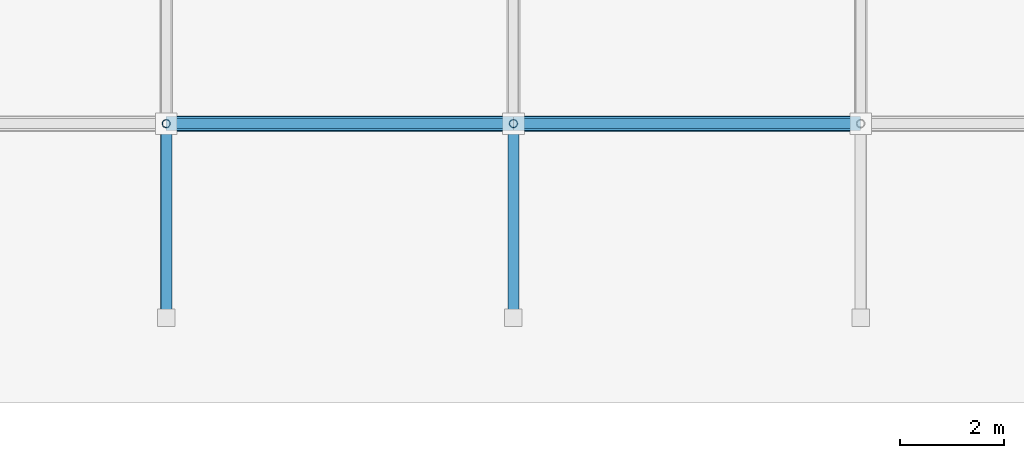
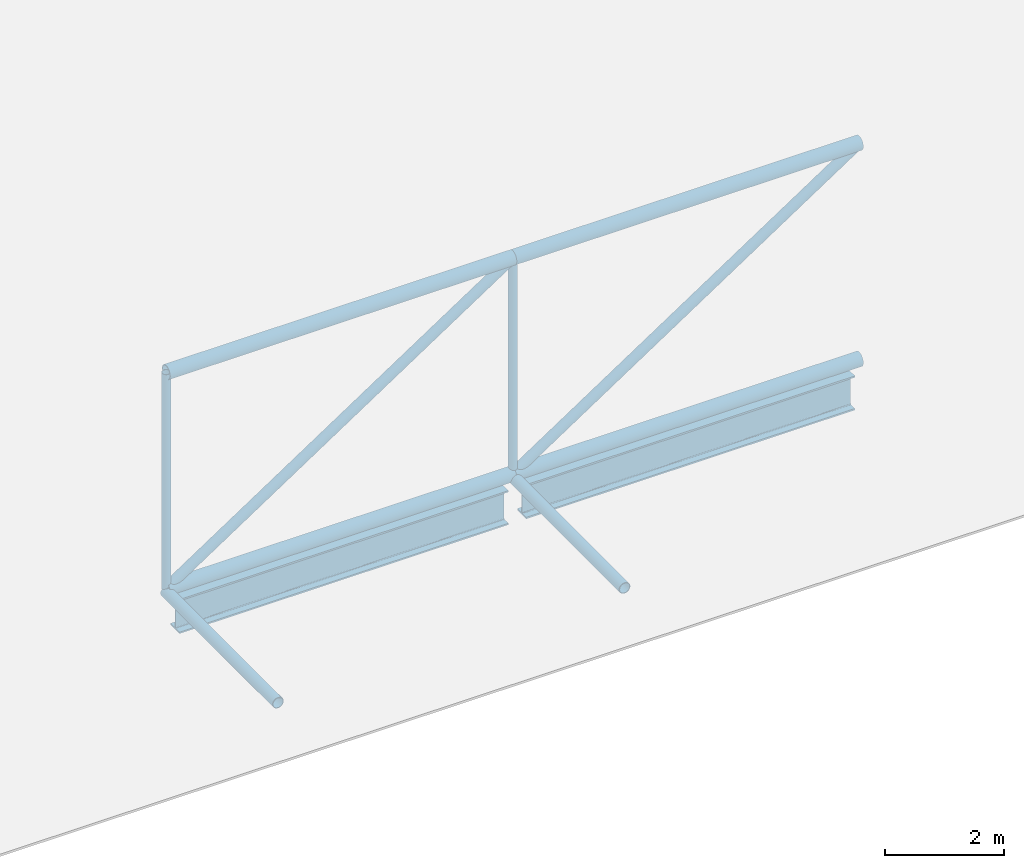
# One storey, part 30 of 77: 10 members, 2 beams.
"""IFC4 building model written with IfcOpenShell, lengths in metres."""

from ifc_helpers import new_model, si_unit, direction, frame, origin, origin_2d, place, context, subcontext, project, spatial, hollow_circle, i_section, extrude, material, material_profile, profile_set, type_object, element, save


model = new_model("IFC4")

# Units and contexts
model_context = context("Model", 3, precision=1e-05, world=origin(), true_north=direction((0.0, 1.0)))
body_context = subcontext(model_context, "Body", "Model", "MODEL_VIEW")
ifc_project = project(units=[si_unit("LENGTHUNIT", "METRE"), si_unit("AREAUNIT", "SQUARE_METRE"), si_unit("VOLUMEUNIT", "CUBIC_METRE"), si_unit("PLANEANGLEUNIT", "RADIAN"), si_unit("MASSUNIT", "GRAM", prefix="KILO")], contexts=[model_context])

# Site, building, storey
site_placement = place(None, origin())
site = spatial("IfcSite", under=ifc_project, at=site_placement, CompositionType="ELEMENT")
building_placement = place(site_placement, origin())
building = spatial("IfcBuilding", under=site, at=building_placement, Name="Nabrawat Pavilion Hospital", CompositionType="ELEMENT")
storey_placement = place(building_placement, frame((0.0, 0.0, 14.85009765625)))
storey = spatial("IfcBuildingStorey", under=building, at=storey_placement, Name="L03", CompositionType="ELEMENT", Elevation=14.85009765625)

# Beams
ifc_material = material(Name="Steel S355", Category="steel")
ifc_material_profile_1 = material_profile(ifc_material, i_section(OverallWidth=0.300048828125, OverallDepth=0.699951171875, WebThickness=0.01708984375, FlangeThickness=0.031982421875, FilletRadius=0.027099609375, at=origin_2d()), Name="HEB 700")
ifc_profile_set_1 = profile_set([ifc_material_profile_1], Name="Steel S355")
beam_type = type_object("IfcBeamType", Name="Main Hall Space-Frame Perimeter Ring Girder HEB 700", PredefinedType="USERDEFINED", material=ifc_profile_set_1)
for number, where, z_axis, x_axis, name in (
    (1, (99.34130859375, 15.60009765625, -0.60009765625), (1.0, 0.0, 0.0), (0.0, 1.0, 0.0), "L03 Main Hall Space-Frame Perimeter Ring Girder 1434"),
    (2, (106.04931640625, 15.60009765625, -0.60009765625), (1.0, 0.0, 0.0), (0.0, 1.0, 0.0), "L03 Main Hall Space-Frame Perimeter Ring Girder 1435"),
):
    element("IfcBeam", number, at=place(storey_placement, frame(where, z_axis=z_axis, x_axis=x_axis)), inside=storey, type_object=beam_type, Name=name, ObjectType="GIRDER", PredefinedType="USERDEFINED", context=body_context, shape_type="SweptSolid", body=[
        extrude(i_section(OverallWidth=0.300048828125, OverallDepth=0.699951171875, WebThickness=0.01708984375, FlangeThickness=0.031982421875, FilletRadius=0.027099609375, at=origin_2d()), origin(), (0.0, 0.0, 1.0), 6.361572265625),
    ])

# Members
ifc_material_profile_2 = material_profile(ifc_material, hollow_circle(Radius=0.109619140625, WallThickness=0.012451171875, at=origin_2d()), Name="CHS 219.1x12.5")
ifc_profile_set_2 = profile_set([ifc_material_profile_2], Name="Steel S355")
member_type_1 = type_object("IfcMemberType", Name="Space Frame Overhanging Eave Strut CHS 219.1x12.5", PredefinedType="STRUT", material=ifc_profile_set_2)
for number, where, z_axis, x_axis, name in (
    (3, (99.16796875, 15.60009765625, -0.110107421875), (0.0, -0.999996437516, -0.002669261324), (1.0, 0.0, 0.0), "Space Frame Overhanging Eave Strut South 0276"),
    (4, (105.8759765625, 15.60009765625, -0.110107421875), (0.0, -0.999996437516, -0.002669261324), (1.0, 0.0, 0.0), "Space Frame Overhanging Eave Strut South 0278"),
):
    element("IfcMember", number, at=place(storey_placement, frame(where, z_axis=z_axis, x_axis=x_axis)), inside=storey, type_object=member_type_1, Name=name, PredefinedType="STRUT", context=body_context, shape_type="SweptSolid", body=[
        extrude(hollow_circle(Radius=0.109619140625, WallThickness=0.012451171875, at=origin_2d()), origin(), (0.0, 0.0, 1.0), 3.75),
    ])
ifc_material_profile_3 = material_profile(ifc_material, hollow_circle(Radius=0.136474609375, WallThickness=0.012451171875, at=origin_2d()), Name="CHS 273x12.5")
ifc_profile_set_3 = profile_set([ifc_material_profile_3], Name="Steel S355")
member_type_2 = type_object("IfcMemberType", Name="Space Frame Primary Chord CHS 273x12.5", PredefinedType="CHORD", material=ifc_profile_set_3)
for number, where, z_axis, x_axis, name in (
    (5, (99.16796875, 15.60009765625, 4.373046875), (1.0, 0.0, 0.0), (0.0, 1.0, 0.0), "Space Frame Chord Top X 0151"),
    (6, (99.16796875, 15.60009765625, -0.050048828125), (1.0, 0.0, 0.0), (0.0, 1.0, 0.0), "Space Frame Chord Bottom X 0152"),
    (7, (105.8759765625, 15.60009765625, 4.373046875), (1.0, 0.0, 0.0), (0.0, 1.0, 0.0), "Space Frame Chord Top X 0176"),
    (8, (105.8759765625, 15.60009765625, -0.050048828125), (1.0, 0.0, 0.0), (0.0, 1.0, 0.0), "Space Frame Chord Bottom X 0177"),
):
    element("IfcMember", number, at=place(storey_placement, frame(where, z_axis=z_axis, x_axis=x_axis)), inside=storey, type_object=member_type_2, Name=name, PredefinedType="CHORD", context=body_context, shape_type="SweptSolid", body=[
        extrude(hollow_circle(Radius=0.136474609375, WallThickness=0.012451171875, at=origin_2d()), origin(), (0.0, 0.0, 1.0), 6.7080078125),
    ])
ifc_material_profile_4 = material_profile(ifc_material, hollow_circle(Radius=0.096923828125, WallThickness=0.010009765625, at=origin_2d()), Name="CHS 193.7x10")
ifc_profile_set_4 = profile_set([ifc_material_profile_4], Name="Steel S355")
member_type_3 = type_object("IfcMemberType", Name="Space Frame Primary Diagonal CHS 193.7x10", PredefinedType="BRACE", material=ifc_profile_set_4)
for number, where, z_axis, x_axis, name in (
    (9, (99.16796875, 15.60009765625, -0.050048828125), (0.834849035362, 0.0, 0.5504789625), (0.0, 1.0, 0.0), "Space Frame Diagonal Web X 0156"),
    (10, (105.8759765625, 15.60009765625, -0.050048828125), (0.834849035362, 0.0, 0.5504789625), (0.0, 1.0, 0.0), "Space Frame Diagonal Web X 0181"),
):
    element("IfcMember", number, at=place(storey_placement, frame(where, z_axis=z_axis, x_axis=x_axis)), inside=storey, type_object=member_type_3, Name=name, PredefinedType="BRACE", context=body_context, shape_type="SweptSolid", body=[
        extrude(hollow_circle(Radius=0.096923828125, WallThickness=0.010009765625, at=origin_2d()), origin(), (0.0, 0.0, 1.0), 8.034912109375),
    ])
ifc_material_profile_5 = material_profile(ifc_material, hollow_circle(Radius=0.07958984375, WallThickness=0.008056640625, at=origin_2d()), Name="CHS 159x8")
ifc_profile_set_5 = profile_set([ifc_material_profile_5], Name="Steel S355")
member_type_4 = type_object("IfcMemberType", Name="Space Frame Vertical Web Post CHS 159x8", PredefinedType="BRACE", material=ifc_profile_set_5)
for number, where, z_axis, x_axis, name in (
    (11, (99.16796875, 15.60009765625, -0.050048828125), (0.0, 0.0, 1.0), (1.0, 0.0, 0.0), "Space Frame Diagonal Post 0155"),
    (12, (105.8759765625, 15.60009765625, -0.050048828125), (0.0, 0.0, 1.0), (1.0, 0.0, 0.0), "Space Frame Diagonal Post 0180"),
):
    element("IfcMember", number, at=place(storey_placement, frame(where, z_axis=z_axis, x_axis=x_axis)), inside=storey, type_object=member_type_4, Name=name, PredefinedType="BRACE", context=body_context, shape_type="SweptSolid", body=[
        extrude(hollow_circle(Radius=0.07958984375, WallThickness=0.008056640625, at=origin_2d()), origin(), (0.0, 0.0, 1.0), 4.423095703125),
    ])

save(model, "model.ifc")
